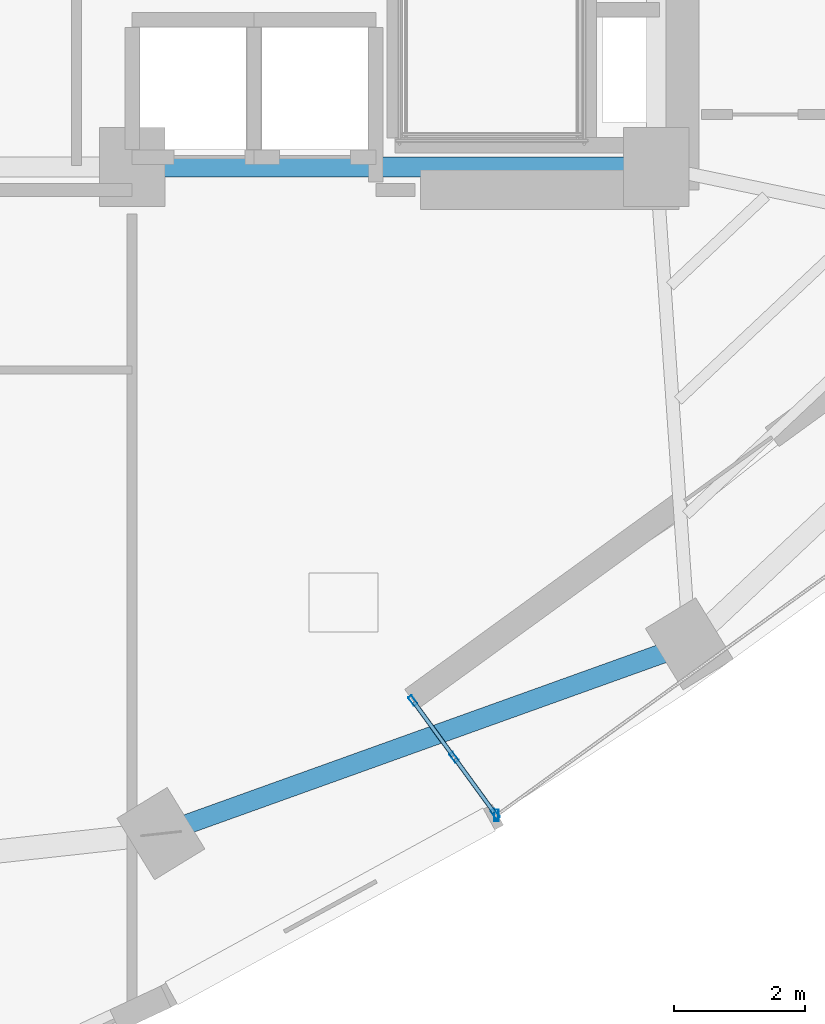
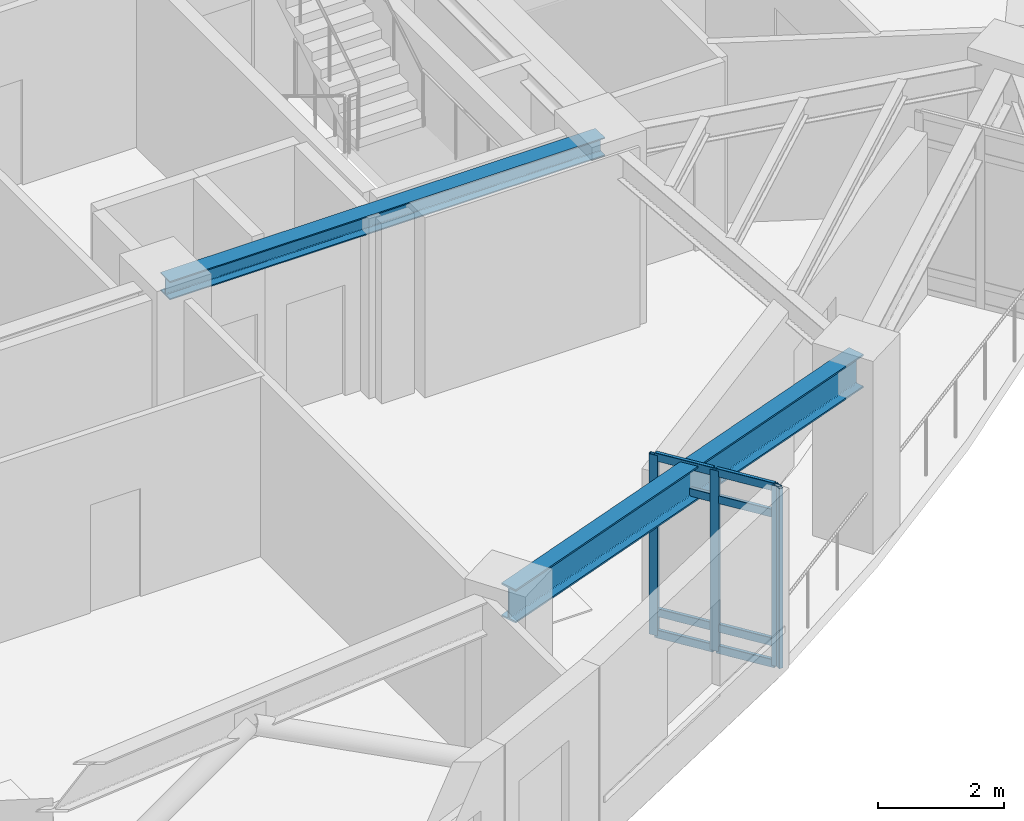
# One storey, part 2 of 12: 12 members, 2 beams, 1 element without a shape of its own.
"""IFC4 building model written with IfcOpenShell, lengths in metres."""

from ifc_helpers import new_model, si_unit, direction, frame, origin, origin_2d, place, context, subcontext, project, spatial, hollow_rectangle, i_section, extrude, material, layer, layer_set, material_profile, profile_set, type_object, element, aggregate, save


model = new_model("IFC4")

# Units and contexts
model_context = context("Model", 3, precision=1e-05, world=origin(), true_north=direction((0.0, 1.0)))
body_context = subcontext(model_context, "Body", "Model", "MODEL_VIEW")
ifc_project = project(units=[si_unit("LENGTHUNIT", "METRE"), si_unit("AREAUNIT", "SQUARE_METRE"), si_unit("VOLUMEUNIT", "CUBIC_METRE"), si_unit("PLANEANGLEUNIT", "RADIAN"), si_unit("MASSUNIT", "GRAM", prefix="KILO")], contexts=[model_context])

# Site, building, storey
site_placement = place(None, origin())
site = spatial("IfcSite", under=ifc_project, at=site_placement, CompositionType="ELEMENT")
building_placement = place(site_placement, origin())
building = spatial("IfcBuilding", under=site, at=building_placement, Name="Ndelora Gate Hotel", CompositionType="ELEMENT")
storey_placement = place(building_placement, frame((0.0, 0.0, 142.25)))
storey = spatial("IfcBuildingStorey", under=building, at=storey_placement, Name="L35", CompositionType="ELEMENT", Elevation=142.25)

# Beams
ifc_material_1 = material(Name="Steel S355", Category="steel")
ifc_material_profile_1 = material_profile(ifc_material_1, i_section(OverallWidth=0.300048828125, OverallDepth=0.360107421875, WebThickness=0.012451171875, FlangeThickness=0.0224609375, FilletRadius=0.027099609375, at=origin_2d()), Name="HEB 360")
ifc_profile_set_1 = profile_set([ifc_material_profile_1], Name="Steel S355")
beam_type_1 = type_object("IfcBeamType", Name="BM-CORE-360", PredefinedType="BEAM", material=ifc_profile_set_1)
beam_1_placement = place(storey_placement, frame((0.0, -6.60009765625, 3.320068359375), z_axis=(1.0, 0.0, 0.0), x_axis=(0.0, 1.0, 0.0)))
element("IfcBeam", 1, at=beam_1_placement, inside=storey, type_object=beam_type_1, Name="L35 Core Tie Girder CC2-CC3", PredefinedType="BEAM", context=body_context, shape_type="SweptSolid", body=[
    extrude(i_section(OverallWidth=0.300048828125, OverallDepth=0.360107421875, WebThickness=0.012451171875, FlangeThickness=0.0224609375, FilletRadius=0.027099609375, at=origin_2d()), origin(), (0.0, 0.0, 1.0), 8.0),
])
ifc_material_profile_2 = material_profile(ifc_material_1, i_section(OverallWidth=0.300048828125, OverallDepth=0.64990234375, WebThickness=0.01611328125, FlangeThickness=0.031005859375, FilletRadius=0.027099609375, at=origin_2d()), Name="HEB 650")
ifc_profile_set_2 = profile_set([ifc_material_profile_2], Name="Steel S355")
beam_type_2 = type_object("IfcBeamType", Name="BM-RING-650", PredefinedType="SPANDREL", material=ifc_profile_set_2)
beam_2_placement = place(storey_placement, frame((0.439208984375, -16.7744140625, 3.175048828125), z_axis=(0.941155870835, 0.337972819607, 0.0), x_axis=(-0.337972819607, 0.941155870835, 0.0)))
element("IfcBeam", 2, at=beam_2_placement, inside=storey, type_object=beam_type_2, Name="L35 Perimeter Spandrel Girder 6", PredefinedType="SPANDREL", context=body_context, shape_type="SweptSolid", body=[
    extrude(i_section(OverallWidth=0.300048828125, OverallDepth=0.64990234375, WebThickness=0.01611328125, FlangeThickness=0.031005859375, FilletRadius=0.027099609375, at=origin_2d()), origin(), (0.0, 0.0, 1.0), 8.5693359375),
])

# Curtain wall, members
ifc_material_2 = material(Name="Bronze Anodised Unitised Aluminium and Low-E Glass", Category="aluminium")
ifc_layer = layer(ifc_material_2, 0.199951171875)
ifc_layer_set = layer_set([ifc_layer], Name="Bronze Anodised Unitised Aluminium and Low-E Glass")
curtain_wall_type = type_object("IfcCurtainWallType", Name="CW-SYS-3", PredefinedType="NOTDEFINED", material=ifc_layer_set)
curtain_wall_placement = place(storey_placement, origin())
curtain_wall = element("IfcCurtainWall", 3, at=curtain_wall_placement, inside=storey, type_object=curtain_wall_type, Name="L35 Sky-Garden Loggia Side Curtain Wall CW3-1", PredefinedType="NOTDEFINED")
ifc_material_3 = material(Name="Bronze Anodised Aluminium 6063-T6", Category="aluminium")
ifc_material_profile_3 = material_profile(ifc_material_3, hollow_rectangle(XDim=0.06494140625, YDim=0.159912109375, WallThickness=0.00390625, InnerFilletRadius=0.00390625, OuterFilletRadius=0.008056640625, at=origin_2d()), Name="ALU 160x65x4")
ifc_profile_set_3 = profile_set([ifc_material_profile_3], Name="Bronze Anodised Aluminium 6063-T6")
member_type_1 = type_object("IfcMemberType", Name="MB-CW-MUL150", PredefinedType="MULLION", material=ifc_profile_set_3)
member_1_placement = place(storey_placement, frame((4.285400390625, -14.745361328125, -0.00390625), z_axis=(0.0, 0.0, 1.0), x_axis=(0.809017078969, 0.587785135859, 0.0)))
member_1 = element("IfcMember", 4, at=member_1_placement, type_object=member_type_1, Name="CW3 mullion 1", PredefinedType="MULLION", context=body_context, shape_type="SweptSolid", body=[
    extrude(hollow_rectangle(XDim=0.06494140625, YDim=0.159912109375, WallThickness=0.00390625, InnerFilletRadius=0.00390625, OuterFilletRadius=0.008056640625, at=origin_2d()), origin(), (0.0, 0.0, 1.0), 3.5078125),
])
member_2_placement = place(storey_placement, frame((4.912841796875, -15.60888671875, -0.00390625), z_axis=(0.0, 0.0, 1.0), x_axis=(0.809017078969, 0.587785135859, 0.0)))
member_2 = element("IfcMember", 5, at=member_2_placement, type_object=member_type_1, Name="CW3 mullion 2", PredefinedType="MULLION", context=body_context, shape_type="SweptSolid", body=[
    extrude(hollow_rectangle(XDim=0.06494140625, YDim=0.159912109375, WallThickness=0.00390625, InnerFilletRadius=0.00390625, OuterFilletRadius=0.008056640625, at=origin_2d()), origin(), (0.0, 0.0, 1.0), 3.5078125),
])
member_3_placement = place(storey_placement, frame((5.540283203125, -16.472412109375, -0.00390625), z_axis=(0.0, 0.0, 1.0), x_axis=(0.809017078969, 0.587785135859, 0.0)))
member_3 = element("IfcMember", 6, at=member_3_placement, type_object=member_type_1, Name="CW3 mullion 3", PredefinedType="MULLION", context=body_context, shape_type="SweptSolid", body=[
    extrude(hollow_rectangle(XDim=0.06494140625, YDim=0.159912109375, WallThickness=0.00390625, InnerFilletRadius=0.00390625, OuterFilletRadius=0.008056640625, at=origin_2d()), origin(), (0.0, 0.0, 1.0), 3.5078125),
])
ifc_material_profile_4 = material_profile(ifc_material_3, hollow_rectangle(XDim=0.070068359375, YDim=0.179931640625, WallThickness=0.0048828125, InnerFilletRadius=0.0048828125, OuterFilletRadius=0.010009765625, at=origin_2d()), Name="ALU 180x70x5")
ifc_profile_set_4 = profile_set([ifc_material_profile_4], Name="Bronze Anodised Aluminium 6063-T6")
member_type_2 = type_object("IfcMemberType", Name="MB-CW-MUL180", PredefinedType="MULLION", material=ifc_profile_set_4)
member_4_placement = place(storey_placement, frame((5.5595703125, -16.498779296875, 0.0), z_axis=(0.0, 0.0, 1.0), x_axis=(1.0, 0.0, 0.0)))
member_4 = element("IfcMember", 7, at=member_4_placement, type_object=member_type_2, Name="L35 Sky-Garden Loggia Corner Mullion Post 1", PredefinedType="MULLION", context=body_context, shape_type="SweptSolid", body=[
    extrude(hollow_rectangle(XDim=0.070068359375, YDim=0.179931640625, WallThickness=0.0048828125, InnerFilletRadius=0.0048828125, OuterFilletRadius=0.010009765625, at=origin_2d()), origin(), (0.0, 0.0, 1.0), 3.5),
])
ifc_material_profile_5 = material_profile(ifc_material_3, hollow_rectangle(XDim=0.06494140625, YDim=0.159912109375, WallThickness=0.00390625, InnerFilletRadius=0.00390625, OuterFilletRadius=0.008056640625, at=origin_2d()), Name="ALU 160x65x4")
ifc_profile_set_5 = profile_set([ifc_material_profile_5], Name="Bronze Anodised Aluminium 6063-T6")
member_type_3 = type_object("IfcMemberType", Name="MB-CW-TRN150", PredefinedType="USERDEFINED", material=ifc_profile_set_5)
member_5_placement = place(storey_placement, frame((4.301025390625, -14.766845703125, 0.032470703125), z_axis=(0.587957025258, -0.808892166145, 0.0), x_axis=(0.808892166145, 0.587957025258, 0.0)))
member_5 = element("IfcMember", 8, at=member_5_placement, type_object=member_type_3, Name="CW3 transom 1.1", ObjectType="TRANSOM", PredefinedType="USERDEFINED", context=body_context, shape_type="SweptSolid", body=[
    extrude(hollow_rectangle(XDim=0.06494140625, YDim=0.159912109375, WallThickness=0.00390625, InnerFilletRadius=0.00390625, OuterFilletRadius=0.008056640625, at=origin_2d()), origin(), (0.0, 0.0, 1.0), 1.014404296875),
])
member_6_placement = place(storey_placement, frame((4.301025390625, -14.766845703125, 0.449951171875), z_axis=(0.587957025258, -0.808892166145, 0.0), x_axis=(0.808892166145, 0.587957025258, 0.0)))
member_6 = element("IfcMember", 9, at=member_6_placement, type_object=member_type_3, Name="CW3 transom 1.2", ObjectType="TRANSOM", PredefinedType="USERDEFINED", context=body_context, shape_type="SweptSolid", body=[
    extrude(hollow_rectangle(XDim=0.06494140625, YDim=0.159912109375, WallThickness=0.00390625, InnerFilletRadius=0.00390625, OuterFilletRadius=0.008056640625, at=origin_2d()), origin(), (0.0, 0.0, 1.0), 1.014404296875),
])
member_7_placement = place(storey_placement, frame((4.301025390625, -14.766845703125, 2.949951171875), z_axis=(0.587957025258, -0.808892166145, 0.0), x_axis=(0.808892166145, 0.587957025258, 0.0)))
member_7 = element("IfcMember", 10, at=member_7_placement, type_object=member_type_3, Name="CW3 transom 1.3", ObjectType="TRANSOM", PredefinedType="USERDEFINED", context=body_context, shape_type="SweptSolid", body=[
    extrude(hollow_rectangle(XDim=0.06494140625, YDim=0.159912109375, WallThickness=0.00390625, InnerFilletRadius=0.00390625, OuterFilletRadius=0.008056640625, at=origin_2d()), origin(), (0.0, 0.0, 1.0), 1.014404296875),
])
member_8_placement = place(storey_placement, frame((4.301025390625, -14.766845703125, 3.467529296875), z_axis=(0.587957025258, -0.808892166145, 0.0), x_axis=(0.808892166145, 0.587957025258, 0.0)))
member_8 = element("IfcMember", 11, at=member_8_placement, type_object=member_type_3, Name="CW3 transom 1.4", ObjectType="TRANSOM", PredefinedType="USERDEFINED", context=body_context, shape_type="SweptSolid", body=[
    extrude(hollow_rectangle(XDim=0.06494140625, YDim=0.159912109375, WallThickness=0.00390625, InnerFilletRadius=0.00390625, OuterFilletRadius=0.008056640625, at=origin_2d()), origin(), (0.0, 0.0, 1.0), 1.014404296875),
])
member_9_placement = place(storey_placement, frame((4.928466796875, -15.63037109375, 0.032470703125), z_axis=(0.587842580444, -0.808975339931, 0.0), x_axis=(0.808975339931, 0.587842580444, 0.0)))
member_9 = element("IfcMember", 12, at=member_9_placement, type_object=member_type_3, Name="CW3 transom 2.1", ObjectType="TRANSOM", PredefinedType="USERDEFINED", context=body_context, shape_type="SweptSolid", body=[
    extrude(hollow_rectangle(XDim=0.06494140625, YDim=0.159912109375, WallThickness=0.00390625, InnerFilletRadius=0.00390625, OuterFilletRadius=0.008056640625, at=origin_2d()), origin(), (0.0, 0.0, 1.0), 1.0146484375),
])
member_10_placement = place(storey_placement, frame((4.928466796875, -15.63037109375, 0.449951171875), z_axis=(0.587842580444, -0.808975339931, 0.0), x_axis=(0.808975339931, 0.587842580444, 0.0)))
member_10 = element("IfcMember", 13, at=member_10_placement, type_object=member_type_3, Name="CW3 transom 2.2", ObjectType="TRANSOM", PredefinedType="USERDEFINED", context=body_context, shape_type="SweptSolid", body=[
    extrude(hollow_rectangle(XDim=0.06494140625, YDim=0.159912109375, WallThickness=0.00390625, InnerFilletRadius=0.00390625, OuterFilletRadius=0.008056640625, at=origin_2d()), origin(), (0.0, 0.0, 1.0), 1.0146484375),
])
member_11_placement = place(storey_placement, frame((4.928466796875, -15.63037109375, 2.949951171875), z_axis=(0.587842580444, -0.808975339931, 0.0), x_axis=(0.808975339931, 0.587842580444, 0.0)))
member_11 = element("IfcMember", 14, at=member_11_placement, type_object=member_type_3, Name="CW3 transom 2.3", ObjectType="TRANSOM", PredefinedType="USERDEFINED", context=body_context, shape_type="SweptSolid", body=[
    extrude(hollow_rectangle(XDim=0.06494140625, YDim=0.159912109375, WallThickness=0.00390625, InnerFilletRadius=0.00390625, OuterFilletRadius=0.008056640625, at=origin_2d()), origin(), (0.0, 0.0, 1.0), 1.0146484375),
])
member_12_placement = place(storey_placement, frame((4.928466796875, -15.63037109375, 3.467529296875), z_axis=(0.587842580444, -0.808975339931, 0.0), x_axis=(0.808975339931, 0.587842580444, 0.0)))
member_12 = element("IfcMember", 15, at=member_12_placement, type_object=member_type_3, Name="CW3 transom 2.4", ObjectType="TRANSOM", PredefinedType="USERDEFINED", context=body_context, shape_type="SweptSolid", body=[
    extrude(hollow_rectangle(XDim=0.06494140625, YDim=0.159912109375, WallThickness=0.00390625, InnerFilletRadius=0.00390625, OuterFilletRadius=0.008056640625, at=origin_2d()), origin(), (0.0, 0.0, 1.0), 1.0146484375),
])
aggregate(curtain_wall, [member_1, member_2, member_3, member_5, member_6, member_7, member_8, member_9, member_10, member_11, member_12, member_4])

save(model, "model.ifc")
